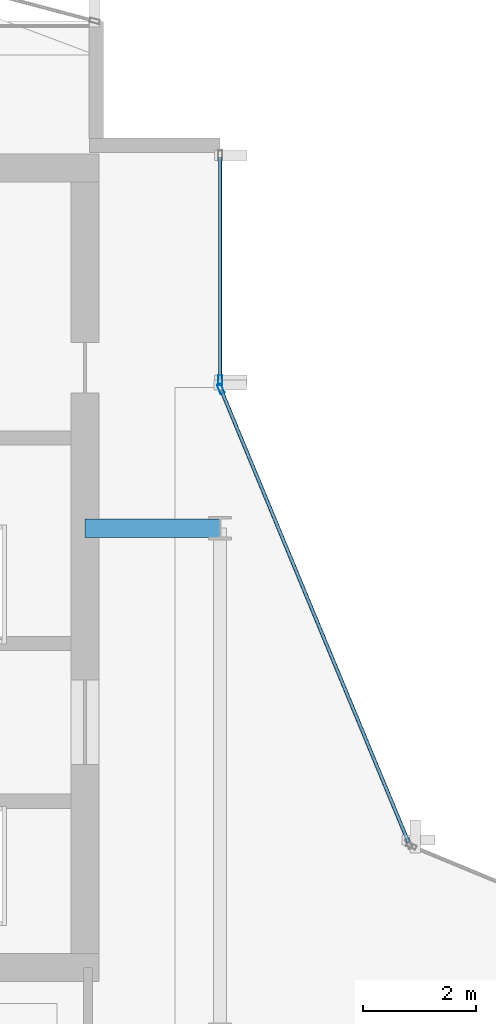
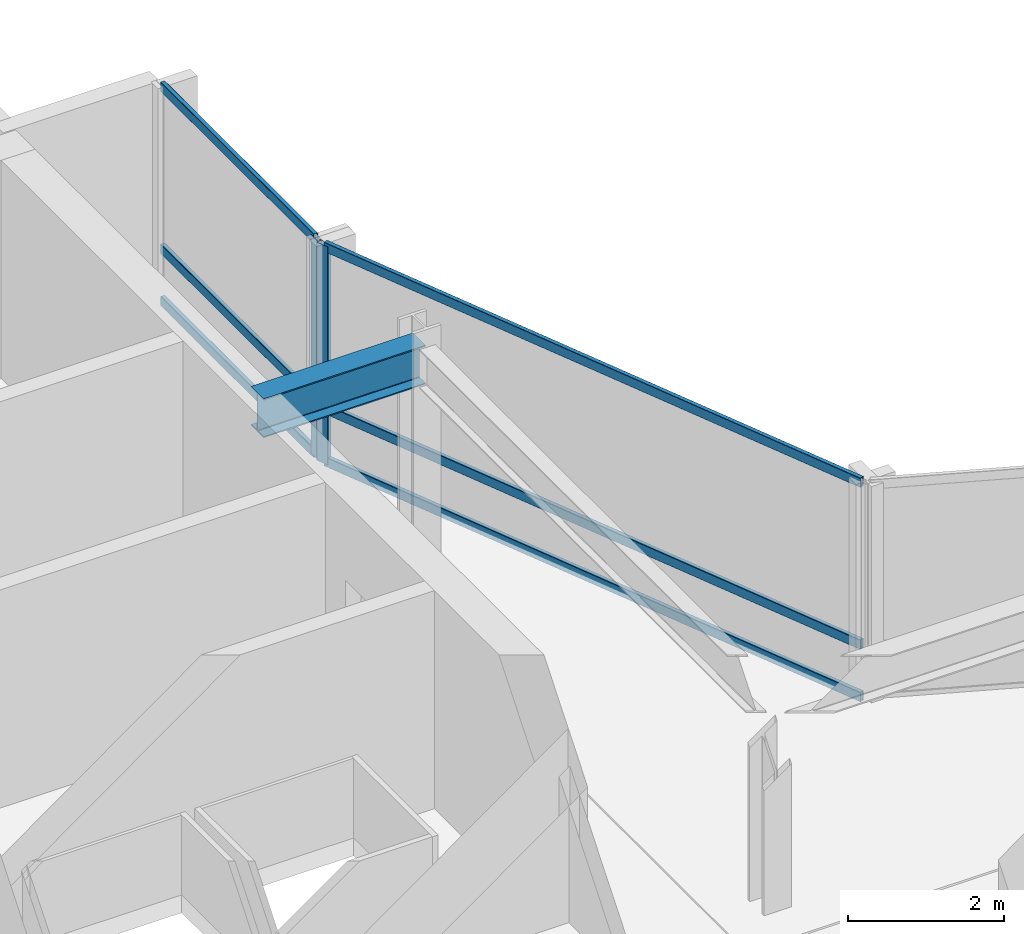
# One storey, part 17 of 27: 8 members, 1 beam, 2 elements without a shape of their own.
"""IFC4 building model written with IfcOpenShell, lengths in metres."""

import ifcopenshell
import ifcopenshell.guid

model = None  # the IFC model being written
_history = None  # IfcOwnerHistory: only IFC2X3 demands one
_inside = {}  # id of a spatial element -> (the spatial element, [elements in it])
_under = {}  # id of a project, library or spatial element -> (it, [spatial elements below it])
_declared = {}  # id of a project -> (the project, [libraries it declares])
_typed = {}  # id of a type object -> (the type object, [elements of that type])
_made_of = {}  # id of a material, layer set ... -> (it, [elements and type objects made of it])


def new_model(schema):
    """Start an empty IFC model of exactly this schema.

    Asked for "IFC4X3", IfcOpenShell would pick the latest addendum, in which some entities
    have other attributes; the version numbers below select the first issue.
    IFC2X3 requires an IfcOwnerHistory on every rooted entity: one is made here for all.
    """
    global model, _history
    if schema == "IFC4X3":
        model = ifcopenshell.file(schema_version=(4, 3, 0, 0))
    else:
        model = ifcopenshell.file(schema=schema)
    _inside.clear()
    _under.clear()
    _declared.clear()
    _typed.clear()
    _made_of.clear()
    _history = None
    if model.schema == "IFC2X3":
        org = make("IfcOrganization", Name="unknown")
        user = make(
            "IfcPersonAndOrganization",
            ThePerson=make("IfcPerson", FamilyName="unknown"),
            TheOrganization=org,
        )
        app = make(
            "IfcApplication",
            ApplicationDeveloper=org,
            Version="unknown",
            ApplicationFullName="unknown",
            ApplicationIdentifier="unknown",
        )
        _history = make(
            "IfcOwnerHistory",
            OwningUser=user,
            OwningApplication=app,
            ChangeAction="ADDED",
            CreationDate=0,
        )
    return model


def make(cls, **values):
    """One entity of the class cls with the attributes given. An attribute that is None is left unset."""
    return model.create_entity(
        cls, **{name: value for name, value in values.items() if value is not None}
    )


def rooted(cls, **values):
    """An entity with a GlobalId (a new one), such as an element, a storey or a relation."""
    return make(cls, GlobalId=ifcopenshell.guid.new(), OwnerHistory=_history, **values)


def si_unit(unit_type, name, prefix=None):
    """IfcSIUnit, for example si_unit("LENGTHUNIT", "METRE", prefix="MILLI")."""
    return make("IfcSIUnit", UnitType=unit_type, Prefix=prefix, Name=name)


def assignment(units):
    """IfcUnitAssignment: the units of a project."""
    return None if units is None else make("IfcUnitAssignment", Units=units)


def point(xyz):
    """IfcCartesianPoint."""
    return None if xyz is None else make("IfcCartesianPoint", Coordinates=xyz)


def direction(xyz):
    """IfcDirection."""
    return None if xyz is None else make("IfcDirection", DirectionRatios=xyz)


def frame(location, z_axis=None, x_axis=None):
    """IfcAxis2Placement3D, a coordinate frame: its origin and axes. An axis left out is left unset."""
    return make(
        "IfcAxis2Placement3D",
        Location=point(location),
        Axis=direction(z_axis),
        RefDirection=direction(x_axis),
    )


def frame_2d(location, x_axis=None):
    """IfcAxis2Placement2D, a coordinate frame in the plane: its origin and x axis."""
    return make(
        "IfcAxis2Placement2D", Location=point(location), RefDirection=direction(x_axis)
    )


def origin():
    """The frame at (0, 0, 0) with its axes left unset."""
    return frame((0.0, 0.0, 0.0))


def origin_2d():
    """The frame at (0, 0) in the plane with its x axis left unset."""
    return frame_2d((0.0, 0.0))


def place(relative_to, where):
    """IfcLocalPlacement: puts the frame where relative to a parent placement (None: the world)."""
    return make(
        "IfcLocalPlacement", PlacementRelTo=relative_to, RelativePlacement=where
    )


def context(
    kind, dimensions, precision=None, world=None, true_north=None, identifier=None
):
    """IfcGeometricRepresentationContext, for example the 3D "Model" context."""
    return make(
        "IfcGeometricRepresentationContext",
        ContextIdentifier=identifier,
        ContextType=kind,
        CoordinateSpaceDimension=dimensions,
        Precision=precision,
        WorldCoordinateSystem=world,
        TrueNorth=true_north,
    )


def subcontext(parent, identifier, kind, view, scale=None):
    """IfcGeometricRepresentationSubContext, for example "Body" below "Model"."""
    return make(
        "IfcGeometricRepresentationSubContext",
        ContextIdentifier=identifier,
        ContextType=kind,
        ParentContext=parent,
        TargetScale=scale,
        TargetView=view,
    )


def project(units=None, contexts=None):
    """IfcProject with its units and contexts."""
    return rooted(
        "IfcProject",
        Name="project",
        RepresentationContexts=contexts,
        UnitsInContext=assignment(units),
    )


def spatial(cls, under=None, at=None, **own):
    """A site, building, storey or space (cls), placed at a placement, below another one or the project."""
    s = rooted(cls, ObjectPlacement=at, **own)
    if under is not None:
        _under.setdefault(under.id(), (under, []))[1].append(s)
    return s


def profile(cls, at=None, kind="AREA", **sizes):
    """A parametric profile (cls). Its sizes go by their IFC names, for example OverallWidth=200.0."""
    return make(cls, ProfileType=kind, Position=at, **sizes)


def hollow_rectangle(**sizes):
    """IfcRectangleHollowProfileDef."""
    return profile("IfcRectangleHollowProfileDef", **sizes)


def i_section(**sizes):
    """IfcIShapeProfileDef."""
    return profile("IfcIShapeProfileDef", **sizes)


def extrude(swept, where, along, depth):
    """IfcExtrudedAreaSolid: the profile swept, set in the frame where, extruded along a direction by depth."""
    return make(
        "IfcExtrudedAreaSolid",
        SweptArea=swept,
        Position=where,
        ExtrudedDirection=direction(along),
        Depth=depth,
    )


def shape(context_of_items, identifier, shape_type, items):
    """IfcShapeRepresentation: the items that make up one representation, for example the "Body"."""
    return make(
        "IfcShapeRepresentation",
        ContextOfItems=context_of_items,
        RepresentationIdentifier=identifier,
        RepresentationType=shape_type,
        Items=items,
    )


def material(Name=None, Category=None):
    """IfcMaterial."""
    return make("IfcMaterial", Name=Name, Category=Category)


def layer(
    of_material, thickness, ventilated=None, Name=None, Category=None, Priority=None
):
    """IfcMaterialLayer: one layer of a wall or slab, of a material (None: an air gap)."""
    return make(
        "IfcMaterialLayer",
        Material=of_material,
        LayerThickness=thickness,
        IsVentilated=ventilated,
        Name=Name,
        Category=Category,
        Priority=Priority,
    )


def layer_set(layers, Name=None):
    """IfcMaterialLayerSet."""
    return make("IfcMaterialLayerSet", MaterialLayers=layers, LayerSetName=Name)


def material_profile(
    of_material, cross_section, Name=None, Category=None, Priority=None
):
    """IfcMaterialProfile: a cross section and its material."""
    return make(
        "IfcMaterialProfile",
        Name=Name,
        Material=of_material,
        Profile=cross_section,
        Priority=Priority,
        Category=Category,
    )


def profile_set(profiles, Name=None, composite=None):
    """IfcMaterialProfileSet."""
    return make(
        "IfcMaterialProfileSet",
        Name=Name,
        MaterialProfiles=profiles,
        CompositeProfile=composite,
    )


def made_of(thing, what):
    """Note that an element or type object is made of a material, layer set ...; save() writes the relation."""
    if what is not None:
        _made_of.setdefault(what.id(), (what, []))[1].append(thing)
    return thing


def type_object(cls, material=None, **own):
    """A type object (cls), such as IfcWallType, which elements share."""
    return made_of(rooted(cls, **own), material)


def element(
    cls,
    number,
    at=None,
    inside=None,
    cuts=None,
    type_object=None,
    material=None,
    context=None,
    identifier="Body",
    shape_type=None,
    held_by="IfcProductDefinitionShape",
    body=None,
    shapes=None,
    **own,
):
    """One element of the class cls, such as IfcWall. Its Tag is "e" and its number.

    at: its placement. inside: the storey or other place that contains it. cuts: it is an
    opening in that element (IfcRelVoidsElement). A single representation is given by context,
    identifier, shape_type and body (its items); several are given by shapes. held_by: the class
    of the entity that holds the representations. save() writes the other relations.
    """
    e = rooted(cls, Tag="e%d" % number, ObjectPlacement=at, **own)
    if body is not None:
        shapes = [shape(context, identifier, shape_type, body)]
    if shapes is not None:
        e.Representation = make(held_by, Representations=shapes)
    if inside is not None:
        _inside.setdefault(inside.id(), (inside, []))[1].append(e)
    if cuts is not None:
        rooted(
            "IfcRelVoidsElement", RelatingBuildingElement=cuts, RelatedOpeningElement=e
        )
    if type_object is not None:
        _typed.setdefault(type_object.id(), (type_object, []))[1].append(e)
    return made_of(e, material)


def aggregate(whole, parts):
    """IfcRelAggregates: a whole, such as a stair, and the parts it consists of."""
    return rooted("IfcRelAggregates", RelatingObject=whole, RelatedObjects=parts)


def save(model, path):
    """Write the relations noted so far, then the file.

    IfcRelAggregates (storeys below a building ...), IfcRelContainedInSpatialStructure (elements
    in a storey), IfcRelDefinesByType, IfcRelAssociatesMaterial and IfcRelDeclares: one each for
    every whole, place, type object, material and project.
    """
    for whole, parts in _under.values():
        aggregate(whole, parts)
    for where, things in _inside.values():
        rooted(
            "IfcRelContainedInSpatialStructure",
            RelatedElements=things,
            RelatingStructure=where,
        )
    for kind, things in _typed.values():
        rooted("IfcRelDefinesByType", RelatedObjects=things, RelatingType=kind)
    for what, things in _made_of.values():
        rooted("IfcRelAssociatesMaterial", RelatedObjects=things, RelatingMaterial=what)
    for by, libraries in _declared.values():
        rooted("IfcRelDeclares", RelatingContext=by, RelatedDefinitions=libraries)
    model.write(path)


model = new_model("IFC4")

# Units and contexts
model_context = context("Model", 3, precision=1e-05, world=origin(), true_north=direction((0.0, 1.0)))
body_context = subcontext(model_context, "Body", "Model", "MODEL_VIEW")
ifc_project = project(units=[si_unit("LENGTHUNIT", "METRE"), si_unit("AREAUNIT", "SQUARE_METRE"), si_unit("VOLUMEUNIT", "CUBIC_METRE"), si_unit("PLANEANGLEUNIT", "RADIAN"), si_unit("MASSUNIT", "GRAM", prefix="KILO")], contexts=[model_context])

# Site, building, storey
site_placement = place(None, origin())
site = spatial("IfcSite", under=ifc_project, at=site_placement, CompositionType="ELEMENT")
building_placement = place(site_placement, origin())
building = spatial("IfcBuilding", under=site, at=building_placement, Name="Solvaryn Broadcast Tower", CompositionType="ELEMENT")
storey_placement = place(building_placement, frame((0.0, 0.0, 181.60009765625)))
storey = spatial("IfcBuildingStorey", under=building, at=storey_placement, Name="L45", CompositionType="ELEMENT", Elevation=181.60009765625)

# Beam
ifc_material_1 = material(Name="Steel ASTM A992 Grade 50", Category="steel")
ifc_material_profile_1 = material_profile(ifc_material_1, i_section(OverallWidth=0.323974609375, OverallDepth=0.611083984375, WebThickness=0.0126953125, FlangeThickness=0.01904296875, FilletRadius=0.014892578125, at=origin_2d()))
ifc_profile_set_1 = profile_set([ifc_material_profile_1], Name="Steel ASTM A992 Grade 50")
beam_type = type_object("IfcBeamType", Name="BM-B1-W24X104", PredefinedType="BEAM", material=ifc_profile_set_1)
beam_placement = place(storey_placement, frame((24.60009765625, 36.0, 3.114501953125), z_axis=(1.0, 0.0, 0.0), x_axis=(0.0, 1.0, 0.0)))
element("IfcBeam", 1, at=beam_placement, inside=storey, type_object=beam_type, Name="L45 Core Tie Beam CTW2", PredefinedType="BEAM", context=body_context, shape_type="SweptSolid", body=[
    extrude(i_section(OverallWidth=0.323974609375, OverallDepth=0.611083984375, WebThickness=0.0126953125, FlangeThickness=0.01904296875, FilletRadius=0.014892578125, at=origin_2d()), origin(), (0.0, 0.0, 1.0), 2.39990234375),
])

# Curtain wall, member
ifc_material_2 = material(Name="Aluminium and Terracotta Unitised Curtain Wall", Category="masonry")
ifc_layer = layer(ifc_material_2, 0.199951171875)
ifc_layer_set = layer_set([ifc_layer], Name="CW-SYS2-LOWMID")
curtain_wall_type = type_object("IfcCurtainWallType", Name="CW-SYS2-LOWMID", PredefinedType="NOTDEFINED", material=ifc_layer_set)
curtain_wall_1_placement = place(storey_placement, origin())
curtain_wall_1 = element("IfcCurtainWall", 2, at=curtain_wall_1_placement, inside=storey, type_object=curtain_wall_type, Name="L45 Curtain Wall IV", PredefinedType="NOTDEFINED")
ifc_material_3 = material(Name="Anodised Aluminium 6063-T6", Category="aluminium")
ifc_material_profile_2 = material_profile(ifc_material_3, hollow_rectangle(XDim=0.074951171875, YDim=0.179931640625, WallThickness=0.00390625, InnerFilletRadius=0.00390625, OuterFilletRadius=0.008056640625, at=origin_2d()))
ifc_profile_set_2 = profile_set([ifc_material_profile_2], Name="Anodised Aluminium 6063-T6")
member_type_1 = type_object("IfcMemberType", Name="CW-MUL-180", PredefinedType="MULLION", material=ifc_profile_set_2)
member_1_placement = place(storey_placement, frame((27.0, 38.6298828125, 0.0), z_axis=(0.0, 0.0, 1.0), x_axis=(1.0, 0.0, 0.0)))
member_1 = element("IfcMember", 3, at=member_1_placement, type_object=member_type_1, Name="CWS2 mullion 2", PredefinedType="MULLION", context=body_context, shape_type="SweptSolid", body=[
    extrude(hollow_rectangle(XDim=0.074951171875, YDim=0.179931640625, WallThickness=0.00390625, InnerFilletRadius=0.00390625, OuterFilletRadius=0.008056640625, at=origin_2d()), origin(), (0.0, 0.0, 1.0), 3.419921875),
])

curtain_wall_2_placement = place(storey_placement, origin())
curtain_wall_2 = element("IfcCurtainWall", 4, at=curtain_wall_2_placement, inside=storey, type_object=curtain_wall_type, Name="L45 Curtain Wall CN2", PredefinedType="NOTDEFINED")
member_2_placement = place(storey_placement, frame((27.011474609375, 38.47216796875, 0.0), z_axis=(0.0, 0.0, 1.0), x_axis=(-0.923894983957, -0.382646127145, 0.0)))
member_2 = element("IfcMember", 5, at=member_2_placement, type_object=member_type_1, Name="CWS2 mullion 2", PredefinedType="MULLION", context=body_context, shape_type="SweptSolid", body=[
    extrude(hollow_rectangle(XDim=0.074951171875, YDim=0.179931640625, WallThickness=0.00390625, InnerFilletRadius=0.00390625, OuterFilletRadius=0.008056640625, at=origin_2d()), origin(), (0.0, 0.0, 1.0), 3.419921875),
])

# Member
ifc_material_4 = material(Name="Anodised Aluminium 6063-T6", Category="aluminium")
ifc_material_profile_3 = material_profile(ifc_material_4, hollow_rectangle(XDim=0.06494140625, YDim=0.14990234375, WallThickness=0.00390625, InnerFilletRadius=0.00390625, OuterFilletRadius=0.008056640625, at=origin_2d()))
ifc_profile_set_3 = profile_set([ifc_material_profile_3], Name="Anodised Aluminium 6063-T6")
member_type_2 = type_object("IfcMemberType", Name="CW-TRN-150", PredefinedType="USERDEFINED", material=ifc_profile_set_3)
member_3_placement = place(storey_placement, frame((27.0, 42.590087890625, 0.02978515625), z_axis=(0.0, -1.0, 0.0), x_axis=(1.0, 0.0, 0.0)))
member_3 = element("IfcMember", 6, at=member_3_placement, type_object=member_type_2, Name="CWS2 transom 1.1", ObjectType="TRANSOM", PredefinedType="USERDEFINED", context=body_context, shape_type="SweptSolid", body=[
    extrude(hollow_rectangle(XDim=0.06494140625, YDim=0.14990234375, WallThickness=0.00390625, InnerFilletRadius=0.00390625, OuterFilletRadius=0.008056640625, at=origin_2d()), origin(), (0.0, 0.0, 1.0), 3.93017578125),
])

member_4_placement = place(storey_placement, frame((27.0, 42.590087890625, 0.849853515625), z_axis=(0.0, -1.0, 0.0), x_axis=(1.0, 0.0, 0.0)))
member_4 = element("IfcMember", 7, at=member_4_placement, type_object=member_type_2, Name="CWS2 transom 1.2", ObjectType="TRANSOM", PredefinedType="USERDEFINED", context=body_context, shape_type="SweptSolid", body=[
    extrude(hollow_rectangle(XDim=0.06494140625, YDim=0.14990234375, WallThickness=0.00390625, InnerFilletRadius=0.00390625, OuterFilletRadius=0.008056640625, at=origin_2d()), origin(), (0.0, 0.0, 1.0), 3.93017578125),
])

member_5_placement = place(storey_placement, frame((27.0, 42.590087890625, 3.389892578125), z_axis=(0.0, -1.0, 0.0), x_axis=(1.0, 0.0, 0.0)))
member_5 = element("IfcMember", 8, at=member_5_placement, type_object=member_type_2, Name="CWS2 transom 1.3", ObjectType="TRANSOM", PredefinedType="USERDEFINED", context=body_context, shape_type="SweptSolid", body=[
    extrude(hollow_rectangle(XDim=0.06494140625, YDim=0.14990234375, WallThickness=0.00390625, InnerFilletRadius=0.00390625, OuterFilletRadius=0.008056640625, at=origin_2d()), origin(), (0.0, 0.0, 1.0), 3.93017578125),
])

aggregate(curtain_wall_1, [member_1, member_3, member_4, member_5])

member_6_placement = place(storey_placement, frame((30.344970703125, 30.42333984375, 0.02978515625), z_axis=(-0.382635748975, 0.923899282177, 0.0), x_axis=(-0.923899282177, -0.382635748975, 0.0)))
member_6 = element("IfcMember", 9, at=member_6_placement, type_object=member_type_2, Name="CWS2 transom 1.1", ObjectType="TRANSOM", PredefinedType="USERDEFINED", context=body_context, shape_type="SweptSolid", body=[
    extrude(hollow_rectangle(XDim=0.06494140625, YDim=0.14990234375, WallThickness=0.00390625, InnerFilletRadius=0.00390625, OuterFilletRadius=0.008056640625, at=origin_2d()), origin(), (0.0, 0.0, 1.0), 8.681884765625),
])

member_7_placement = place(storey_placement, frame((30.344970703125, 30.42333984375, 0.849853515625), z_axis=(-0.382635748975, 0.923899282177, 0.0), x_axis=(-0.923899282177, -0.382635748975, 0.0)))
member_7 = element("IfcMember", 10, at=member_7_placement, type_object=member_type_2, Name="CWS2 transom 1.2", ObjectType="TRANSOM", PredefinedType="USERDEFINED", context=body_context, shape_type="SweptSolid", body=[
    extrude(hollow_rectangle(XDim=0.06494140625, YDim=0.14990234375, WallThickness=0.00390625, InnerFilletRadius=0.00390625, OuterFilletRadius=0.008056640625, at=origin_2d()), origin(), (0.0, 0.0, 1.0), 8.681884765625),
])

member_8_placement = place(storey_placement, frame((30.344970703125, 30.42333984375, 3.389892578125), z_axis=(-0.382635748975, 0.923899282177, 0.0), x_axis=(-0.923899282177, -0.382635748975, 0.0)))
member_8 = element("IfcMember", 11, at=member_8_placement, type_object=member_type_2, Name="CWS2 transom 1.3", ObjectType="TRANSOM", PredefinedType="USERDEFINED", context=body_context, shape_type="SweptSolid", body=[
    extrude(hollow_rectangle(XDim=0.06494140625, YDim=0.14990234375, WallThickness=0.00390625, InnerFilletRadius=0.00390625, OuterFilletRadius=0.008056640625, at=origin_2d()), origin(), (0.0, 0.0, 1.0), 8.681884765625),
])

aggregate(curtain_wall_2, [member_2, member_6, member_7, member_8])

save(model, "model.ifc")
